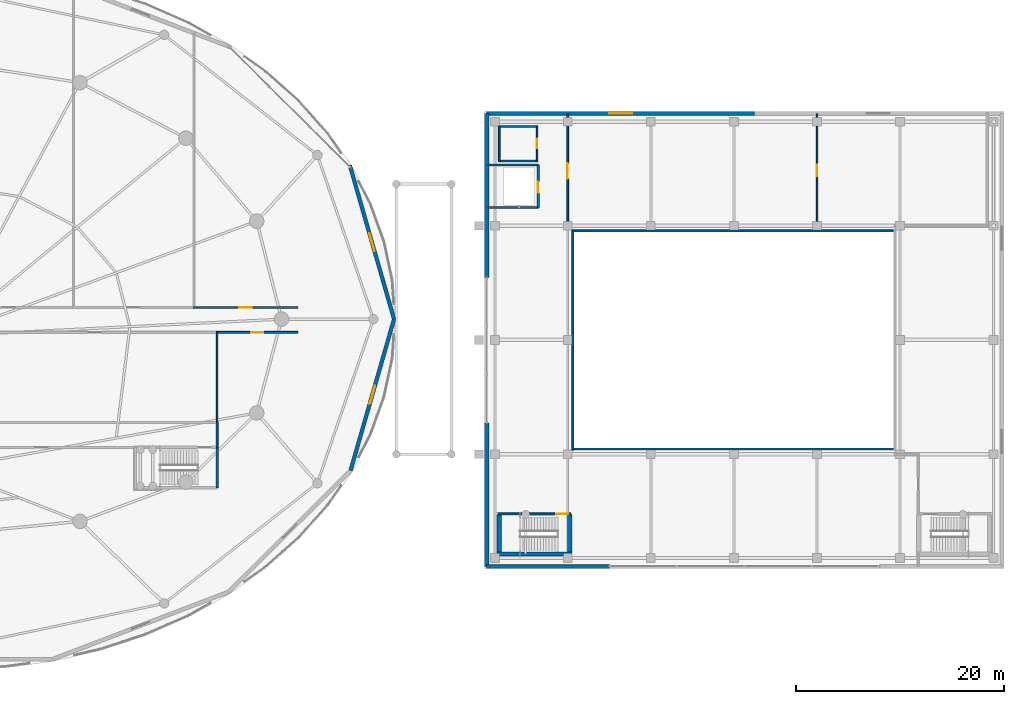
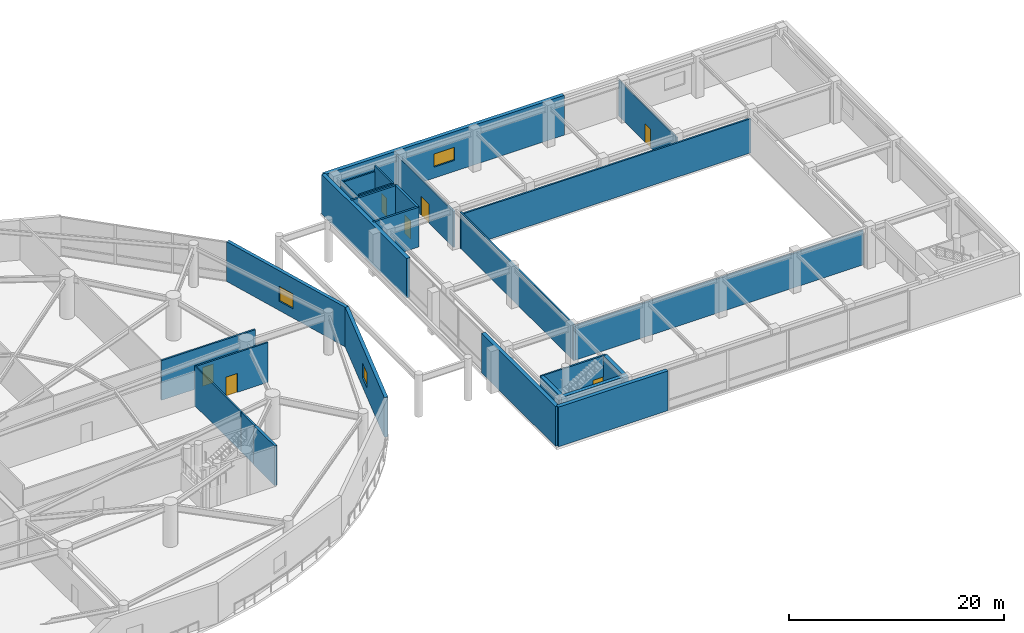
# One storey, part 30 of 40: 27 walls, 7 doors, 3 windows, 10 openings.
"""IFC4 building model written with IfcOpenShell, lengths in metres."""

from ifc_helpers import new_model, si_unit, direction, frame, frame_2d, origin, place, context, subcontext, project, spatial, rectangle, extrude, material, layer, layer_set, type_object, element, fill, save


model = new_model("IFC4")

# Units and contexts
model_context = context("Model", 3, precision=1e-05, world=origin(), true_north=direction((0.0, 1.0)))
body_context = subcontext(model_context, "Body", "Model", "MODEL_VIEW")
ifc_project = project(units=[si_unit("LENGTHUNIT", "METRE"), si_unit("AREAUNIT", "SQUARE_METRE"), si_unit("VOLUMEUNIT", "CUBIC_METRE"), si_unit("PLANEANGLEUNIT", "RADIAN"), si_unit("MASSUNIT", "GRAM", prefix="KILO")], contexts=[model_context])

# Site, building, storey
site_placement = place(None, origin())
site = spatial("IfcSite", under=ifc_project, at=site_placement, CompositionType="ELEMENT")
building_placement = place(site_placement, origin())
building = spatial("IfcBuilding", under=site, at=building_placement, Name="Kazevale Care Tower and Concert Hall", CompositionType="ELEMENT")
storey_placement = place(building_placement, frame((0.0, 0.0, 9.60009765625)))
storey = spatial("IfcBuildingStorey", under=building, at=storey_placement, Name="L02", CompositionType="ELEMENT", Elevation=9.60009765625)

# Wall
ifc_material_1 = material(Name="Acoustic Gypsum on Steel Stud", Category="steel")
ifc_layer_1 = layer(ifc_material_1, 0.139892578125)
ifc_layer_set_1 = layer_set([ifc_layer_1], Name="Acoustic Gypsum on Steel Stud")
wall_type_1 = type_object("IfcWallType", Name="Acoustic Care & Suite Partition 140", PredefinedType="PARTITIONING", material=ifc_layer_set_1)
wall_1_placement = place(storey_placement, frame((70.25, 36.7548828125, 0.0), z_axis=(0.0, 0.0, 1.0), x_axis=(0.0, -1.0, 0.0)))
element("IfcWall", 1, at=wall_1_placement, inside=storey, type_object=wall_type_1, Name="wall:L02:auto_023", PredefinedType="PARTITIONING", context=body_context, shape_type="SweptSolid", body=[
    extrude(rectangle(XDim=8.73486328125, YDim=0.139892578125, at=frame_2d((4.367431640625, 0.0))), origin(), (0.0, 0.0, 1.0), 4.52001953125),
])

# Wall, opening, door
wall_2_placement = place(storey_placement, frame((128.0, 57.7900390625, 0.0), z_axis=(0.0, 0.0, 1.0), x_axis=(0.0, -1.0, 0.0)))
wall_2 = element("IfcWall", 2, at=wall_2_placement, inside=storey, type_object=wall_type_1, Name="wall:L02:auto_030", PredefinedType="PARTITIONING", context=body_context, shape_type="SweptSolid", body=[
    extrude(rectangle(XDim=10.820068359375, YDim=0.139892578125, at=frame_2d((5.41015625, 0.0))), origin(), (0.0, 0.0, 1.0), 4.093017578125),
])
opening_1_placement = place(wall_2_placement, frame((4.9150390625, 0.0, 0.0)))
opening_1 = element("IfcOpeningElement", 3, at=opening_1_placement, cuts=wall_2, Name="Opening ID-1100", PredefinedType="OPENING", context=body_context, shape_type="SweptSolid", body=[
    extrude(rectangle(XDim=1.10009765625, YDim=2.10009765625, at=frame_2d((0.550048828125, 1.050048828125))), frame((0.0, 0.079833984375, 0.0), z_axis=(0.0, -1.0, 0.0), x_axis=(1.0, 0.0, 0.0)), (0.0, 0.0, 1.0), 0.159912109375),
])
ifc_material_2 = material(Name="Oak Timber Fire Leaf", Category="wood")
door_type_1 = type_object("IfcDoorType", Name="Care Bedroom Accessible Door 1100x2100", OperationType="NOTDEFINED", PredefinedType="DOOR", material=ifc_material_2)
door_1_placement = place(opening_1_placement, origin())
door_1 = element("IfcDoor", 4, at=door_1_placement, inside=storey, type_object=door_type_1, Name="door:L02:ad_030", OperationType="SINGLE_SWING_LEFT", OverallHeight=2.10009765625, OverallWidth=1.10009765625, PredefinedType="DOOR", context=body_context, shape_type="SweptSolid", body=[
    extrude(rectangle(XDim=1.10009765625, YDim=2.10009765625, at=frame_2d((0.550048828125, 1.050048828125))), frame((0.0, 0.02490234375, 0.0), z_axis=(0.0, -1.0, 0.0), x_axis=(1.0, 0.0, 0.0)), (0.0, 0.0, 1.0), 0.050048828125),
])
fill(opening_1, door_1)

# Wall
ifc_material_3 = material(Name="Concrete C40 with Honed Limestone Cladding", Category="masonry")
ifc_layer_2 = layer(ifc_material_3, 0.39990234375)
ifc_layer_set_2 = layer_set([ifc_layer_2], Name="Concrete C40 with Honed Limestone Cladding")
wall_type_2 = type_object("IfcWallType", Name="Concert Hall Acoustic Limestone Wall 400", PredefinedType="STANDARD", material=ifc_layer_set_2)
wall_3_placement = place(storey_placement, frame((96.199951171875, 14.199951171875, 0.0), z_axis=(0.0, 0.0, 1.0), x_axis=(1.0, 0.0, 0.0)))
element("IfcWall", 5, at=wall_3_placement, inside=storey, type_object=wall_type_2, Name="wall:L02:hallew:S1", PredefinedType="STANDARD", context=body_context, shape_type="SweptSolid", body=[
    extrude(rectangle(XDim=11.800048828125, YDim=0.39990234375, at=frame_2d((5.89990234375, 0.0))), origin(), (0.0, 0.0, 1.0), 4.52001953125),
])

# Wall, opening, window
wall_4_placement = place(storey_placement, frame((122.0, 57.800048828125, 0.0), z_axis=(0.0, 0.0, 1.0), x_axis=(-1.0, 0.0, 0.0)))
wall_4 = element("IfcWall", 6, at=wall_4_placement, inside=storey, type_object=wall_type_2, Name="wall:L02:hallew:N2", PredefinedType="STANDARD", context=body_context, shape_type="SweptSolid", body=[
    extrude(rectangle(XDim=25.800048828125, YDim=0.39990234375, at=frame_2d((12.89990234375, 0.0))), origin(), (0.0, 0.0, 1.0), 4.52001953125),
])
opening_2_placement = place(wall_4_placement, frame((11.800048828125, 0.0, 1.25)))
opening_2 = element("IfcOpeningElement", 7, at=opening_2_placement, cuts=wall_4, Name="Opening WIN-3", PredefinedType="OPENING", context=body_context, shape_type="SweptSolid", body=[
    extrude(rectangle(XDim=2.199951171875, YDim=1.5, at=frame_2d((1.10009765625, 0.75))), frame((0.0, 0.2099609375, 0.0), z_axis=(0.0, -1.0, 0.0), x_axis=(1.0, 0.0, 0.0)), (0.0, 0.0, 1.0), 0.419921875),
])
ifc_material_4 = material(Name="Low-E Laminated Glass", Category="glass")
window_type_1 = type_object("IfcWindowType", Name="Concert Hall Clerestory Window 2200x1500", PartitioningType="TRIPLE_PANEL_VERTICAL", PredefinedType="WINDOW", material=ifc_material_4)
window_1_placement = place(opening_2_placement, origin())
window_1 = element("IfcWindow", 8, at=window_1_placement, inside=storey, type_object=window_type_1, Name="win:L02:hall:N2", OverallHeight=1.5, OverallWidth=2.199951171875, PartitioningType="SINGLE_PANEL", PredefinedType="WINDOW", context=body_context, shape_type="SweptSolid", body=[
    extrude(rectangle(XDim=2.199951171875, YDim=1.5, at=frame_2d((1.10009765625, 0.75))), frame((0.0, 0.030029296875, 0.0), z_axis=(0.0, -1.0, 0.0), x_axis=(1.0, 0.0, 0.0)), (0.0, 0.0, 1.0), 0.06005859375),
])
fill(opening_2, window_1)

# Walls
wall_5_placement = place(storey_placement, frame((96.199951171875, 57.800048828125, 0.0), z_axis=(0.0, 0.0, 1.0), x_axis=(0.0, -1.0, 0.0)))
element("IfcWall", 9, at=wall_5_placement, inside=storey, type_object=wall_type_2, Name="wall:L02:hallew:W1", PredefinedType="STANDARD", context=body_context, shape_type="SweptSolid", body=[
    extrude(rectangle(XDim=15.800048828125, YDim=0.39990234375, at=frame_2d((7.89990234375, 0.0))), origin(), (0.0, 0.0, 1.0), 4.52001953125),
])
wall_6_placement = place(storey_placement, frame((96.199951171875, 28.0, 0.0), z_axis=(0.0, 0.0, 1.0), x_axis=(0.0, -1.0, 0.0)))
element("IfcWall", 10, at=wall_6_placement, inside=storey, type_object=wall_type_2, Name="wall:L02:hallew:W3", PredefinedType="STANDARD", context=body_context, shape_type="SweptSolid", body=[
    extrude(rectangle(XDim=13.800048828125, YDim=0.39990234375, at=frame_2d((6.89990234375, 0.0))), origin(), (0.0, 0.0, 1.0), 4.52001953125),
])
ifc_material_5 = material(Name="Concrete C50", Category="concrete")
ifc_layer_3 = layer(ifc_material_5, 0.39990234375)
ifc_layer_set_3 = layer_set([ifc_layer_3], Name="Concrete C50")
wall_type_3 = type_object("IfcWallType", Name="Concert Hall Shear Core Wall 400 C50", PredefinedType="SHEAR", material=ifc_layer_set_3)
wall_7_placement = place(storey_placement, frame((97.199951171875, 15.39990234375, 0.0), z_axis=(0.0, 0.0, 1.0), x_axis=(1.0, 0.0, 0.0)))
element("IfcWall", 11, at=wall_7_placement, inside=storey, type_object=wall_type_3, Name="wall:L02:ST4:S", PredefinedType="SHEAR", context=body_context, shape_type="SweptSolid", body=[
    extrude(rectangle(XDim=7.199951171875, YDim=0.39990234375, at=frame_2d((3.60009765625, 0.0))), origin(), (0.0, 0.0, 1.0), 4.52001953125),
])
for number, where, z_axis, x_axis, name in (
    (12, (97.39990234375, 15.60009765625, 0.0), (0.0, 0.0, 1.0), (0.0, 1.0, 0.0), "wall:L02:ST4:W"),
    (13, (104.199951171875, 15.60009765625, 0.0), (0.0, 0.0, 1.0), (0.0, 1.0, 0.0), "wall:L02:ST4:E"),
):
    element("IfcWall", number, at=place(storey_placement, frame(where, z_axis=z_axis, x_axis=x_axis)), inside=storey, type_object=wall_type_3, Name=name, PredefinedType="SHEAR", context=body_context, shape_type="SweptSolid", body=[
        extrude(rectangle(XDim=3.599853515625, YDim=0.39990234375, at=frame_2d((1.7998046875, 0.0))), origin(), (0.0, 0.0, 1.0), 4.52001953125),
    ])
ifc_material_6 = material(Name="Concrete C40", Category="concrete")
ifc_layer_4 = layer(ifc_material_6, 0.219970703125)
ifc_layer_set_4 = layer_set([ifc_layer_4], Name="Concrete C40")
wall_type_4 = type_object("IfcWallType", Name="Elevator Hoistway Shaft Wall 220", PredefinedType="SOLIDWALL", material=ifc_layer_set_4)
for number, where, z_axis, x_axis, name in (
    (14, (96.300048828125, 52.85009765625, 0.0), (0.0, 0.0, 1.0), (1.0, 0.0, 0.0), "wall:L02:hall_chl_n"),
    (15, (96.300048828125, 48.75, 0.0), (0.0, 0.0, 1.0), (1.0, 0.0, 0.0), "wall:L02:hall_chl_s"),
):
    element("IfcWall", number, at=place(storey_placement, frame(where, z_axis=z_axis, x_axis=x_axis)), inside=storey, type_object=wall_type_4, Name=name, PredefinedType="SOLIDWALL", context=body_context, shape_type="SweptSolid", body=[
        extrude(rectangle(XDim=4.89990234375, YDim=0.219970703125, at=frame_2d((2.449951171875, 0.0))), origin(), (0.0, 0.0, 1.0), 4.52001953125),
    ])

# Wall, opening, door
wall_8_placement = place(storey_placement, frame((101.14990234375, 48.75, 0.0), z_axis=(0.0, 0.0, 1.0), x_axis=(0.0, 1.0, 0.0)))
wall_8 = element("IfcWall", 16, at=wall_8_placement, inside=storey, type_object=wall_type_4, Name="wall:L02:hall_chl_e", PredefinedType="SOLIDWALL", context=body_context, shape_type="SweptSolid", body=[
    extrude(rectangle(XDim=4.10009765625, YDim=0.219970703125, at=frame_2d((2.050048828125, 0.0))), origin(), (0.0, 0.0, 1.0), 4.52001953125),
])
opening_3_placement = place(wall_8_placement, frame((1.39990234375, 0.0, 0.0)))
opening_3 = element("IfcOpeningElement", 17, at=opening_3_placement, cuts=wall_8, Name="Opening LD-PAX", PredefinedType="OPENING", context=body_context, shape_type="SweptSolid", body=[
    extrude(rectangle(XDim=1.10009765625, YDim=2.10009765625, at=frame_2d((0.550048828125, 1.050048828125))), frame((0.0, 0.119873046875, 0.0), z_axis=(0.0, -1.0, 0.0), x_axis=(1.0, 0.0, 0.0)), (0.0, 0.0, 1.0), 0.239990234375),
])
ifc_material_7 = material(Name="Stainless Steel 316", Category="steel")
door_type_2 = type_object("IfcDoorType", Name="Passenger Lift Sliding Landing Door 1100x2100", OperationType="NOTDEFINED", PredefinedType="DOOR", material=ifc_material_7)
door_2_placement = place(opening_3_placement, origin())
door_2 = element("IfcDoor", 18, at=door_2_placement, inside=storey, type_object=door_type_2, Name="door:L02:ld_chl1", OperationType="SLIDING_TO_LEFT", OverallHeight=2.10009765625, OverallWidth=1.10009765625, PredefinedType="DOOR", context=body_context, shape_type="SweptSolid", body=[
    extrude(rectangle(XDim=1.10009765625, YDim=2.10009765625, at=frame_2d((0.550048828125, 1.050048828125))), frame((0.0, 0.02490234375, 0.0), z_axis=(0.0, -1.0, 0.0), x_axis=(1.0, 0.0, 0.0)), (0.0, 0.0, 1.0), 0.050048828125),
])
fill(opening_3, door_2)

ifc_material_8 = material(Name="Concrete C40 and Acoustic Gypsum", Category="concrete")
ifc_layer_5 = layer(ifc_material_8, 0.179931640625)
ifc_layer_set_5 = layer_set([ifc_layer_5], Name="Concrete C40 and Acoustic Gypsum")
wall_type_5 = type_object("IfcWallType", Name="Fire-Rated Corridor & Party Wall 180", PredefinedType="PARTITIONING", material=ifc_layer_set_5)
wall_9_placement = place(storey_placement, frame((67.93505859375, 39.125, 0.0), z_axis=(0.0, 0.0, 1.0), x_axis=(1.0, 0.0, 0.0)))
wall_9 = element("IfcWall", 19, at=wall_9_placement, inside=storey, type_object=wall_type_5, Name="wall:L02:auto_006", PredefinedType="PARTITIONING", context=body_context, shape_type="SweptSolid", body=[
    extrude(rectangle(XDim=10.094970703125, YDim=0.179931640625, at=frame_2d((5.04736328125, 0.0))), origin(), (0.0, 0.0, 1.0), 4.52001953125),
])
opening_4_placement = place(wall_9_placement, frame((4.447998046875, 0.0, 0.0)))
opening_4 = element("IfcOpeningElement", 20, at=opening_4_placement, cuts=wall_9, Name="Opening ID-1200", PredefinedType="OPENING", context=body_context, shape_type="SweptSolid", body=[
    extrude(rectangle(XDim=1.199951171875, YDim=2.14990234375, at=frame_2d((0.60009765625, 1.074951171875))), frame((0.0, 0.099853515625, 0.0), z_axis=(0.0, -1.0, 0.0), x_axis=(1.0, 0.0, 0.0)), (0.0, 0.0, 1.0), 0.199951171875),
])
door_type_3 = type_object("IfcDoorType", Name="Clinical & Therapy Door 1200x2150", OperationType="NOTDEFINED", PredefinedType="DOOR", material=ifc_material_2)
door_3_placement = place(opening_4_placement, origin())
door_3 = element("IfcDoor", 21, at=door_3_placement, inside=storey, type_object=door_type_3, Name="door:L02:ad_006", OperationType="SINGLE_SWING_LEFT", OverallHeight=2.14990234375, OverallWidth=1.199951171875, PredefinedType="DOOR", context=body_context, shape_type="SweptSolid", body=[
    extrude(rectangle(XDim=1.199951171875, YDim=2.14990234375, at=frame_2d((0.60009765625, 1.074951171875))), frame((0.0, 0.02490234375, 0.0), z_axis=(0.0, -1.0, 0.0), x_axis=(1.0, 0.0, 0.0)), (0.0, 0.0, 1.0), 0.050048828125),
])
fill(opening_4, door_3)

wall_10_placement = place(storey_placement, frame((78.030029296875, 36.72509765625, 0.0), z_axis=(0.0, 0.0, 1.0), x_axis=(-1.0, 0.0, 0.0)))
wall_10 = element("IfcWall", 22, at=wall_10_placement, inside=storey, type_object=wall_type_5, Name="wall:L02:auto_011", PredefinedType="PARTITIONING", context=body_context, shape_type="SweptSolid", body=[
    extrude(rectangle(XDim=7.844970703125, YDim=0.179931640625, at=frame_2d((3.92236328125, 0.0))), origin(), (0.0, 0.0, 1.0), 4.52001953125),
])
opening_5_placement = place(wall_10_placement, frame((3.322021484375, 0.0, 0.0)))
opening_5 = element("IfcOpeningElement", 23, at=opening_5_placement, cuts=wall_10, Name="Opening ID-1200", PredefinedType="OPENING", context=body_context, shape_type="SweptSolid", body=[
    extrude(rectangle(XDim=1.199951171875, YDim=2.14990234375, at=frame_2d((0.60009765625, 1.074951171875))), frame((0.0, 0.099853515625, 0.0), z_axis=(0.0, -1.0, 0.0), x_axis=(1.0, 0.0, 0.0)), (0.0, 0.0, 1.0), 0.199951171875),
])
door_4_placement = place(opening_5_placement, origin())
door_4 = element("IfcDoor", 24, at=door_4_placement, inside=storey, type_object=door_type_3, Name="door:L02:ad_011", OperationType="SINGLE_SWING_LEFT", OverallHeight=2.14990234375, OverallWidth=1.199951171875, PredefinedType="DOOR", context=body_context, shape_type="SweptSolid", body=[
    extrude(rectangle(XDim=1.199951171875, YDim=2.14990234375, at=frame_2d((0.60009765625, 1.074951171875))), frame((0.0, 0.02490234375, 0.0), z_axis=(0.0, -1.0, 0.0), x_axis=(1.0, 0.0, 0.0)), (0.0, 0.0, 1.0), 0.050048828125),
])
fill(opening_5, door_4)

# Wall
wall_11_placement = place(storey_placement, frame((70.25, 28.080078125, 0.0), z_axis=(0.0, 0.0, 1.0), x_axis=(0.0, -1.0, 0.0)))
element("IfcWall", 25, at=wall_11_placement, inside=storey, type_object=wall_type_5, Name="wall:L02:auto_012", PredefinedType="PARTITIONING", context=body_context, shape_type="SweptSolid", body=[
    extrude(rectangle(XDim=2.4599609375, YDim=0.179931640625, at=frame_2d((1.22998046875, 0.0))), origin(), (0.0, 0.0, 1.0), 4.52001953125),
])

# Wall, opening, door
wall_12_placement = place(storey_placement, frame((97.300048828125, 19.25, 0.0), z_axis=(0.0, 0.0, 1.0), x_axis=(1.0, 0.0, 0.0)))
wall_12 = element("IfcWall", 26, at=wall_12_placement, inside=storey, type_object=wall_type_5, Name="wall:L02:hall_st4_n", PredefinedType="PARTITIONING", context=body_context, shape_type="SweptSolid", body=[
    extrude(rectangle(XDim=7.0, YDim=0.179931640625, at=frame_2d((3.5, 0.0))), origin(), (0.0, 0.0, 1.0), 4.52001953125),
])
opening_6_placement = place(wall_12_placement, frame((5.610107421875, 0.0, 0.0)))
opening_6 = element("IfcOpeningElement", 27, at=opening_6_placement, cuts=wall_12, Name="Opening FD-90", PredefinedType="OPENING", context=body_context, shape_type="SweptSolid", body=[
    extrude(rectangle(XDim=1.14990234375, YDim=2.10009765625, at=frame_2d((0.574951171875, 1.050048828125))), frame((0.0, 0.099853515625, 0.0), z_axis=(0.0, -1.0, 0.0), x_axis=(1.0, 0.0, 0.0)), (0.0, 0.0, 1.0), 0.199951171875),
])
ifc_material_9 = material(Name="Steel ASTM A572 Gr 50", Category="steel")
door_type_4 = type_object("IfcDoorType", Name="Pressurized Stair & Lobby Fire Door 1150x2100", OperationType="NOTDEFINED", PredefinedType="DOOR", material=ifc_material_9)
door_5_placement = place(opening_6_placement, origin())
door_5 = element("IfcDoor", 28, at=door_5_placement, inside=storey, type_object=door_type_4, Name="door:L02:hst4", OperationType="SINGLE_SWING_RIGHT", OverallHeight=2.10009765625, OverallWidth=1.14990234375, PredefinedType="DOOR", context=body_context, shape_type="SweptSolid", body=[
    extrude(rectangle(XDim=1.14990234375, YDim=2.10009765625, at=frame_2d((0.574951171875, 1.050048828125))), frame((0.0, 0.02490234375, 0.0), z_axis=(0.0, -1.0, 0.0), x_axis=(1.0, 0.0, 0.0)), (0.0, 0.0, 1.0), 0.050048828125),
])
fill(opening_6, door_5)

# Walls
for number, where, z_axis, x_axis, name in (
    (29, (104.39990234375, 25.5, 0.0), (0.0, 0.0, 1.0), (1.0, 0.0, 0.0), "wall:L02:hvoid_s"),
    (30, (104.39990234375, 46.5, 0.0), (0.0, 0.0, 1.0), (1.0, 0.0, 0.0), "wall:L02:hvoid_n"),
):
    element("IfcWall", number, at=place(storey_placement, frame(where, z_axis=z_axis, x_axis=x_axis)), inside=storey, type_object=wall_type_5, Name=name, PredefinedType="PARTITIONING", context=body_context, shape_type="SweptSolid", body=[
        extrude(rectangle(XDim=31.2001953125, YDim=0.179931640625, at=frame_2d((15.60009765625, 0.0))), origin(), (0.0, 0.0, 1.0), 3.89892578125),
    ])
wall_13_placement = place(storey_placement, frame((104.5, 25.39990234375, 0.0), z_axis=(0.0, 0.0, 1.0), x_axis=(0.0, 1.0, 0.0)))
element("IfcWall", 31, at=wall_13_placement, inside=storey, type_object=wall_type_5, Name="wall:L02:hvoid_w", PredefinedType="PARTITIONING", context=body_context, shape_type="SweptSolid", body=[
    extrude(rectangle(XDim=21.2001953125, YDim=0.179931640625, at=frame_2d((10.60009765625, 0.0))), origin(), (0.0, 0.0, 1.0), 4.093017578125),
])

# Wall, opening, door
wall_14_placement = place(storey_placement, frame((104.0, 57.7900390625, 0.0), z_axis=(0.0, 0.0, 1.0), x_axis=(0.0, -1.0, 0.0)))
wall_14 = element("IfcWall", 32, at=wall_14_placement, inside=storey, type_object=wall_type_5, Name="wall:L02:auto_026", PredefinedType="PARTITIONING", context=body_context, shape_type="SweptSolid", body=[
    extrude(rectangle(XDim=10.85498046875, YDim=0.179931640625, at=frame_2d((5.427490234375, 0.0))), origin(), (0.0, 0.0, 1.0), 4.093017578125),
])
opening_7_placement = place(wall_14_placement, frame((4.781982421875, 0.0, 0.0)))
opening_7 = element("IfcOpeningElement", 33, at=opening_7_placement, cuts=wall_14, Name="Opening FD-60D", PredefinedType="OPENING", context=body_context, shape_type="SweptSolid", body=[
    extrude(rectangle(XDim=1.5, YDim=2.14990234375, at=frame_2d((0.75, 1.074951171875))), frame((0.0, 0.099853515625, 0.0), z_axis=(0.0, -1.0, 0.0), x_axis=(1.0, 0.0, 0.0)), (0.0, 0.0, 1.0), 0.199951171875),
])
door_type_5 = type_object("IfcDoorType", Name="Double Lobby & Auditorium Fire Door 1500x2150", OperationType="NOTDEFINED", PredefinedType="DOOR", material=ifc_material_2)
door_6_placement = place(opening_7_placement, origin())
door_6 = element("IfcDoor", 34, at=door_6_placement, inside=storey, type_object=door_type_5, Name="door:L02:ad_026", OperationType="DOUBLE_DOOR_SINGLE_SWING", OverallHeight=2.14990234375, OverallWidth=1.5, PredefinedType="DOOR", context=body_context, shape_type="SweptSolid", body=[
    extrude(rectangle(XDim=1.5, YDim=2.14990234375, at=frame_2d((0.75, 1.074951171875))), frame((0.0, 0.02490234375, 0.0), z_axis=(0.0, -1.0, 0.0), x_axis=(1.0, 0.0, 0.0)), (0.0, 0.0, 1.0), 0.050048828125),
])
fill(opening_7, door_6)

# Walls
ifc_layer_6 = layer(ifc_material_1, 0.159912109375)
ifc_layer_set_6 = layer_set([ifc_layer_6], Name="Acoustic Gypsum on Steel Stud")
wall_type_6 = type_object("IfcWallType", Name="Moisture-Resistant Bathroom Plumbing Wall 160", PredefinedType="PLUMBINGWALL", material=ifc_layer_set_6)
wall_15_placement = place(storey_placement, frame((97.360107421875, 53.219970703125, 0.0), z_axis=(0.0, 0.0, 1.0), x_axis=(1.0, 0.0, 0.0)))
element("IfcWall", 35, at=wall_15_placement, inside=storey, type_object=wall_type_6, Name="wall:L02:hall_wc_ws", PredefinedType="PLUMBINGWALL", context=body_context, shape_type="SweptSolid", body=[
    extrude(rectangle(XDim=3.72998046875, YDim=0.159912109375, at=frame_2d((1.864990234375, 0.0))), origin(), (0.0, 0.0, 1.0), 4.52001953125),
])
wall_16_placement = place(storey_placement, frame((97.360107421875, 56.550048828125, 0.0), z_axis=(0.0, 0.0, 1.0), x_axis=(1.0, 0.0, 0.0)))
element("IfcWall", 36, at=wall_16_placement, inside=storey, type_object=wall_type_6, Name="wall:L02:hall_wc_wn", PredefinedType="PLUMBINGWALL", context=body_context, shape_type="SweptSolid", body=[
    extrude(rectangle(XDim=3.72998046875, YDim=0.159912109375, at=frame_2d((1.864990234375, 0.0))), origin(), (0.0, 0.0, 1.0), 3.89892578125),
])
wall_17_placement = place(storey_placement, frame((97.39990234375, 53.179931640625, 0.0), z_axis=(0.0, 0.0, 1.0), x_axis=(0.0, 1.0, 0.0)))
element("IfcWall", 37, at=wall_17_placement, inside=storey, type_object=wall_type_6, Name="wall:L02:hall_wc_ww", PredefinedType="PLUMBINGWALL", context=body_context, shape_type="SweptSolid", body=[
    extrude(rectangle(XDim=3.41015625, YDim=0.159912109375, at=frame_2d((1.705078125, 0.0))), origin(), (0.0, 0.0, 1.0), 4.093017578125),
])

# Wall, opening, door
wall_18_placement = place(storey_placement, frame((101.050048828125, 53.179931640625, 0.0), z_axis=(0.0, 0.0, 1.0), x_axis=(0.0, 1.0, 0.0)))
wall_18 = element("IfcWall", 38, at=wall_18_placement, inside=storey, type_object=wall_type_6, Name="wall:L02:hall_wc_we", PredefinedType="PLUMBINGWALL", context=body_context, shape_type="SweptSolid", body=[
    extrude(rectangle(XDim=3.41015625, YDim=0.159912109375, at=frame_2d((1.705078125, 0.0))), origin(), (0.0, 0.0, 1.0), 4.52001953125),
])
opening_8_placement = place(wall_18_placement, frame((1.2548828125, 0.0, 0.0)))
opening_8 = element("IfcOpeningElement", 39, at=opening_8_placement, cuts=wall_18, Name="Opening ID-900", PredefinedType="OPENING", context=body_context, shape_type="SweptSolid", body=[
    extrude(rectangle(XDim=0.919921875, YDim=2.10009765625, at=frame_2d((0.4599609375, 1.050048828125))), frame((0.0, 0.08984375, 0.0), z_axis=(0.0, -1.0, 0.0), x_axis=(1.0, 0.0, 0.0)), (0.0, 0.0, 1.0), 0.179931640625),
])
door_type_6 = type_object("IfcDoorType", Name="Bathroom & Service Door 920x2100", OperationType="NOTDEFINED", PredefinedType="DOOR", material=ifc_material_2)
door_7_placement = place(opening_8_placement, origin())
door_7 = element("IfcDoor", 40, at=door_7_placement, inside=storey, type_object=door_type_6, Name="door:L02:hall_wc_d", OperationType="SINGLE_SWING_LEFT", OverallHeight=2.10009765625, OverallWidth=0.919921875, PredefinedType="DOOR", context=body_context, shape_type="SweptSolid", body=[
    extrude(rectangle(XDim=0.919921875, YDim=2.10009765625, at=frame_2d((0.4599609375, 1.050048828125))), frame((0.0, 0.02490234375, 0.0), z_axis=(0.0, -1.0, 0.0), x_axis=(1.0, 0.0, 0.0)), (0.0, 0.0, 1.0), 0.050048828125),
])
fill(opening_8, door_7)

# Wall, opening, window
ifc_layer_7 = layer(ifc_material_3, 0.360107421875)
ifc_layer_set_7 = layer_set([ifc_layer_7], Name="Concrete C40 with Honed Limestone Cladding")
wall_type_7 = type_object("IfcWallType", Name="Podium Insulated Limestone Wall 360", PredefinedType="STANDARD", material=ifc_layer_set_7)
wall_19_placement = place(storey_placement, frame((87.280029296875, 38.0, 0.0), z_axis=(0.0, 0.0, 1.0), x_axis=(-0.276203409751, 0.961099202186, 0.0)))
wall_19 = element("IfcWall", 41, at=wall_19_placement, inside=storey, type_object=wall_type_7, Name="wall:L02:podew:01", PredefinedType="STANDARD", context=body_context, shape_type="SweptSolid", body=[
    extrude(rectangle(XDim=15.419921875, YDim=0.360107421875, at=frame_2d((7.7099609375, 0.0))), origin(), (0.0, 0.0, 1.0), 4.52001953125),
])
opening_9_placement = place(wall_19_placement, frame((6.81005859375, 0.0, 1.050048828125)))
opening_9 = element("IfcOpeningElement", 42, at=opening_9_placement, cuts=wall_19, Name="Opening WIN-2", PredefinedType="OPENING", context=body_context, shape_type="SweptSolid", body=[
    extrude(rectangle(XDim=1.800048828125, YDim=1.699951171875, at=frame_2d((0.89990234375, 0.85009765625))), frame((0.0, 0.18994140625, 0.0), z_axis=(0.0, -1.0, 0.0), x_axis=(1.0, 0.0, 0.0)), (0.0, 0.0, 1.0), 0.380126953125),
])
window_type_2 = type_object("IfcWindowType", Name="Clinical Punched Window 1800x1700", PartitioningType="DOUBLE_PANEL_VERTICAL", PredefinedType="WINDOW", material=ifc_material_4)
window_2_placement = place(opening_9_placement, origin())
window_2 = element("IfcWindow", 43, at=window_2_placement, inside=storey, type_object=window_type_2, Name="win:L02:pod:01", OverallHeight=1.699951171875, OverallWidth=1.800048828125, PartitioningType="SINGLE_PANEL", PredefinedType="WINDOW", context=body_context, shape_type="SweptSolid", body=[
    extrude(rectangle(XDim=1.800048828125, YDim=1.699951171875, at=frame_2d((0.89990234375, 0.85009765625))), frame((0.0, 0.030029296875, 0.0), z_axis=(0.0, -1.0, 0.0), x_axis=(1.0, 0.0, 0.0)), (0.0, 0.0, 1.0), 0.06005859375),
])
fill(opening_9, window_2)

wall_20_placement = place(storey_placement, frame((83.093017578125, 23.429931640625, 0.0), z_axis=(0.0, 0.0, 1.0), x_axis=(0.276192699339, 0.961102280109, 0.0)))
wall_20 = element("IfcWall", 44, at=wall_20_placement, inside=storey, type_object=wall_type_7, Name="wall:L02:podew:14", PredefinedType="STANDARD", context=body_context, shape_type="SweptSolid", body=[
    extrude(rectangle(XDim=15.15966796875, YDim=0.360107421875, at=frame_2d((7.579833984375, 0.0))), origin(), (0.0, 0.0, 1.0), 4.52001953125),
])
opening_10_placement = place(wall_20_placement, frame((6.679931640625, 0.0, 1.050048828125)))
opening_10 = element("IfcOpeningElement", 45, at=opening_10_placement, cuts=wall_20, Name="Opening WIN-2", PredefinedType="OPENING", context=body_context, shape_type="SweptSolid", body=[
    extrude(rectangle(XDim=1.800048828125, YDim=1.699951171875, at=frame_2d((0.89990234375, 0.85009765625))), frame((0.0, 0.18994140625, 0.0), z_axis=(0.0, -1.0, 0.0), x_axis=(1.0, 0.0, 0.0)), (0.0, 0.0, 1.0), 0.380126953125),
])
window_3_placement = place(opening_10_placement, origin())
window_3 = element("IfcWindow", 46, at=window_3_placement, inside=storey, type_object=window_type_2, Name="win:L02:pod:14", OverallHeight=1.699951171875, OverallWidth=1.800048828125, PartitioningType="SINGLE_PANEL", PredefinedType="WINDOW", context=body_context, shape_type="SweptSolid", body=[
    extrude(rectangle(XDim=1.800048828125, YDim=1.699951171875, at=frame_2d((0.89990234375, 0.85009765625))), frame((0.0, 0.030029296875, 0.0), z_axis=(0.0, -1.0, 0.0), x_axis=(1.0, 0.0, 0.0)), (0.0, 0.0, 1.0), 0.06005859375),
])
fill(opening_10, window_3)

# Wall
ifc_layer_8 = layer(ifc_material_6, 0.25)
ifc_layer_set_8 = layer_set([ifc_layer_8], Name="Concrete C40")
wall_type_8 = type_object("IfcWallType", Name="Pressurized Stair Shaft Wall 250", PredefinedType="SOLIDWALL", material=ifc_layer_set_8)
wall_21_placement = place(storey_placement, frame((70.25, 21.75, 0.0), z_axis=(0.0, 0.0, 1.0), x_axis=(0.0, 1.0, 0.0)))
element("IfcWall", 47, at=wall_21_placement, inside=storey, type_object=wall_type_8, Name="wall:L02:pod_st3_e", PredefinedType="SOLIDWALL", context=body_context, shape_type="SweptSolid", body=[
    extrude(rectangle(XDim=3.89990234375, YDim=0.25, at=frame_2d((1.949951171875, 0.0))), origin(), (0.0, 0.0, 1.0), 4.52001953125),
])

save(model, "model.ifc")
